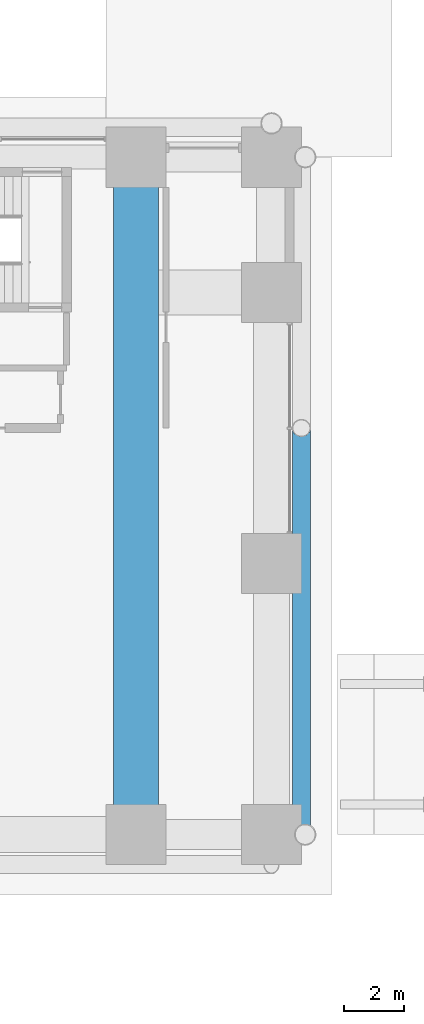
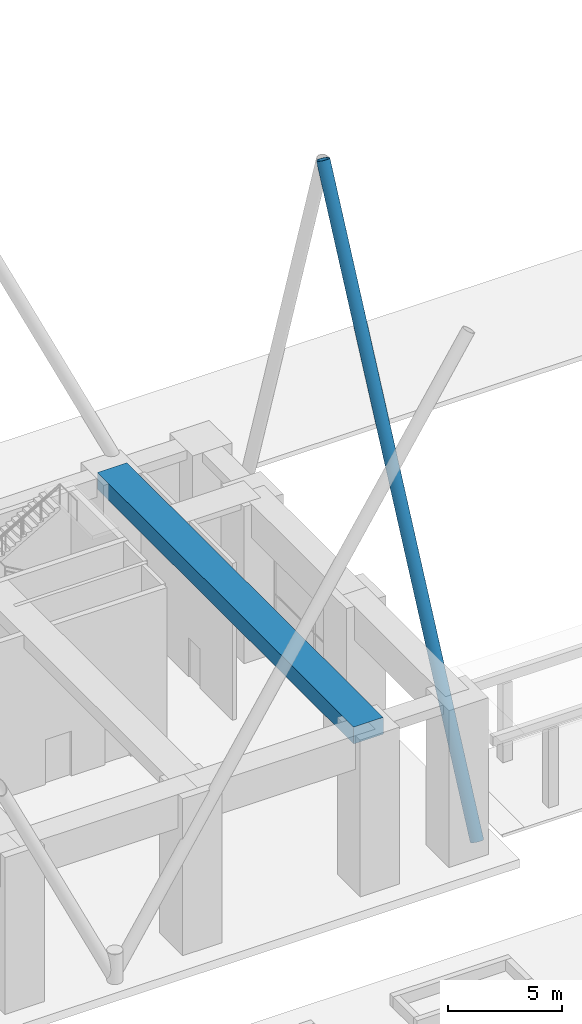
# One storey, part 13 of 44: 1 beam, 1 member.
"""IFC4 building model written with IfcOpenShell, lengths in metres."""

import ifcopenshell
import ifcopenshell.guid

model = None  # the IFC model being written
_history = None  # IfcOwnerHistory: only IFC2X3 demands one
_inside = {}  # id of a spatial element -> (the spatial element, [elements in it])
_under = {}  # id of a project, library or spatial element -> (it, [spatial elements below it])
_declared = {}  # id of a project -> (the project, [libraries it declares])
_typed = {}  # id of a type object -> (the type object, [elements of that type])
_made_of = {}  # id of a material, layer set ... -> (it, [elements and type objects made of it])


def new_model(schema):
    """Start an empty IFC model of exactly this schema.

    Asked for "IFC4X3", IfcOpenShell would pick the latest addendum, in which some entities
    have other attributes; the version numbers below select the first issue.
    IFC2X3 requires an IfcOwnerHistory on every rooted entity: one is made here for all.
    """
    global model, _history
    if schema == "IFC4X3":
        model = ifcopenshell.file(schema_version=(4, 3, 0, 0))
    else:
        model = ifcopenshell.file(schema=schema)
    _inside.clear()
    _under.clear()
    _declared.clear()
    _typed.clear()
    _made_of.clear()
    _history = None
    if model.schema == "IFC2X3":
        org = make("IfcOrganization", Name="unknown")
        user = make(
            "IfcPersonAndOrganization",
            ThePerson=make("IfcPerson", FamilyName="unknown"),
            TheOrganization=org,
        )
        app = make(
            "IfcApplication",
            ApplicationDeveloper=org,
            Version="unknown",
            ApplicationFullName="unknown",
            ApplicationIdentifier="unknown",
        )
        _history = make(
            "IfcOwnerHistory",
            OwningUser=user,
            OwningApplication=app,
            ChangeAction="ADDED",
            CreationDate=0,
        )
    return model


def make(cls, **values):
    """One entity of the class cls with the attributes given. An attribute that is None is left unset."""
    return model.create_entity(
        cls, **{name: value for name, value in values.items() if value is not None}
    )


def rooted(cls, **values):
    """An entity with a GlobalId (a new one), such as an element, a storey or a relation."""
    return make(cls, GlobalId=ifcopenshell.guid.new(), OwnerHistory=_history, **values)


def si_unit(unit_type, name, prefix=None):
    """IfcSIUnit, for example si_unit("LENGTHUNIT", "METRE", prefix="MILLI")."""
    return make("IfcSIUnit", UnitType=unit_type, Prefix=prefix, Name=name)


def assignment(units):
    """IfcUnitAssignment: the units of a project."""
    return None if units is None else make("IfcUnitAssignment", Units=units)


def point(xyz):
    """IfcCartesianPoint."""
    return None if xyz is None else make("IfcCartesianPoint", Coordinates=xyz)


def direction(xyz):
    """IfcDirection."""
    return None if xyz is None else make("IfcDirection", DirectionRatios=xyz)


def frame(location, z_axis=None, x_axis=None):
    """IfcAxis2Placement3D, a coordinate frame: its origin and axes. An axis left out is left unset."""
    return make(
        "IfcAxis2Placement3D",
        Location=point(location),
        Axis=direction(z_axis),
        RefDirection=direction(x_axis),
    )


def frame_2d(location, x_axis=None):
    """IfcAxis2Placement2D, a coordinate frame in the plane: its origin and x axis."""
    return make(
        "IfcAxis2Placement2D", Location=point(location), RefDirection=direction(x_axis)
    )


def origin():
    """The frame at (0, 0, 0) with its axes left unset."""
    return frame((0.0, 0.0, 0.0))


def origin_2d():
    """The frame at (0, 0) in the plane with its x axis left unset."""
    return frame_2d((0.0, 0.0))


def place(relative_to, where):
    """IfcLocalPlacement: puts the frame where relative to a parent placement (None: the world)."""
    return make(
        "IfcLocalPlacement", PlacementRelTo=relative_to, RelativePlacement=where
    )


def context(
    kind, dimensions, precision=None, world=None, true_north=None, identifier=None
):
    """IfcGeometricRepresentationContext, for example the 3D "Model" context."""
    return make(
        "IfcGeometricRepresentationContext",
        ContextIdentifier=identifier,
        ContextType=kind,
        CoordinateSpaceDimension=dimensions,
        Precision=precision,
        WorldCoordinateSystem=world,
        TrueNorth=true_north,
    )


def subcontext(parent, identifier, kind, view, scale=None):
    """IfcGeometricRepresentationSubContext, for example "Body" below "Model"."""
    return make(
        "IfcGeometricRepresentationSubContext",
        ContextIdentifier=identifier,
        ContextType=kind,
        ParentContext=parent,
        TargetScale=scale,
        TargetView=view,
    )


def project(units=None, contexts=None):
    """IfcProject with its units and contexts."""
    return rooted(
        "IfcProject",
        Name="project",
        RepresentationContexts=contexts,
        UnitsInContext=assignment(units),
    )


def spatial(cls, under=None, at=None, **own):
    """A site, building, storey or space (cls), placed at a placement, below another one or the project."""
    s = rooted(cls, ObjectPlacement=at, **own)
    if under is not None:
        _under.setdefault(under.id(), (under, []))[1].append(s)
    return s


def profile(cls, at=None, kind="AREA", **sizes):
    """A parametric profile (cls). Its sizes go by their IFC names, for example OverallWidth=200.0."""
    return make(cls, ProfileType=kind, Position=at, **sizes)


def rectangle(**sizes):
    """IfcRectangleProfileDef."""
    return profile("IfcRectangleProfileDef", **sizes)


def hollow_circle(**sizes):
    """IfcCircleHollowProfileDef."""
    return profile("IfcCircleHollowProfileDef", **sizes)


def extrude(swept, where, along, depth):
    """IfcExtrudedAreaSolid: the profile swept, set in the frame where, extruded along a direction by depth."""
    return make(
        "IfcExtrudedAreaSolid",
        SweptArea=swept,
        Position=where,
        ExtrudedDirection=direction(along),
        Depth=depth,
    )


def shape(context_of_items, identifier, shape_type, items):
    """IfcShapeRepresentation: the items that make up one representation, for example the "Body"."""
    return make(
        "IfcShapeRepresentation",
        ContextOfItems=context_of_items,
        RepresentationIdentifier=identifier,
        RepresentationType=shape_type,
        Items=items,
    )


def material(Name=None, Category=None):
    """IfcMaterial."""
    return make("IfcMaterial", Name=Name, Category=Category)


def material_profile(
    of_material, cross_section, Name=None, Category=None, Priority=None
):
    """IfcMaterialProfile: a cross section and its material."""
    return make(
        "IfcMaterialProfile",
        Name=Name,
        Material=of_material,
        Profile=cross_section,
        Priority=Priority,
        Category=Category,
    )


def profile_set(profiles, Name=None, composite=None):
    """IfcMaterialProfileSet."""
    return make(
        "IfcMaterialProfileSet",
        Name=Name,
        MaterialProfiles=profiles,
        CompositeProfile=composite,
    )


def made_of(thing, what):
    """Note that an element or type object is made of a material, layer set ...; save() writes the relation."""
    if what is not None:
        _made_of.setdefault(what.id(), (what, []))[1].append(thing)
    return thing


def type_object(cls, material=None, **own):
    """A type object (cls), such as IfcWallType, which elements share."""
    return made_of(rooted(cls, **own), material)


def element(
    cls,
    number,
    at=None,
    inside=None,
    cuts=None,
    type_object=None,
    material=None,
    context=None,
    identifier="Body",
    shape_type=None,
    held_by="IfcProductDefinitionShape",
    body=None,
    shapes=None,
    **own,
):
    """One element of the class cls, such as IfcWall. Its Tag is "e" and its number.

    at: its placement. inside: the storey or other place that contains it. cuts: it is an
    opening in that element (IfcRelVoidsElement). A single representation is given by context,
    identifier, shape_type and body (its items); several are given by shapes. held_by: the class
    of the entity that holds the representations. save() writes the other relations.
    """
    e = rooted(cls, Tag="e%d" % number, ObjectPlacement=at, **own)
    if body is not None:
        shapes = [shape(context, identifier, shape_type, body)]
    if shapes is not None:
        e.Representation = make(held_by, Representations=shapes)
    if inside is not None:
        _inside.setdefault(inside.id(), (inside, []))[1].append(e)
    if cuts is not None:
        rooted(
            "IfcRelVoidsElement", RelatingBuildingElement=cuts, RelatedOpeningElement=e
        )
    if type_object is not None:
        _typed.setdefault(type_object.id(), (type_object, []))[1].append(e)
    return made_of(e, material)


def aggregate(whole, parts):
    """IfcRelAggregates: a whole, such as a stair, and the parts it consists of."""
    return rooted("IfcRelAggregates", RelatingObject=whole, RelatedObjects=parts)


def save(model, path):
    """Write the relations noted so far, then the file.

    IfcRelAggregates (storeys below a building ...), IfcRelContainedInSpatialStructure (elements
    in a storey), IfcRelDefinesByType, IfcRelAssociatesMaterial and IfcRelDeclares: one each for
    every whole, place, type object, material and project.
    """
    for whole, parts in _under.values():
        aggregate(whole, parts)
    for where, things in _inside.values():
        rooted(
            "IfcRelContainedInSpatialStructure",
            RelatedElements=things,
            RelatingStructure=where,
        )
    for kind, things in _typed.values():
        rooted("IfcRelDefinesByType", RelatedObjects=things, RelatingType=kind)
    for what, things in _made_of.values():
        rooted("IfcRelAssociatesMaterial", RelatedObjects=things, RelatingMaterial=what)
    for by, libraries in _declared.values():
        rooted("IfcRelDeclares", RelatingContext=by, RelatedDefinitions=libraries)
    model.write(path)


model = new_model("IFC4")

# Units and contexts
model_context = context("Model", 3, precision=1e-05, world=origin(), true_north=direction((0.0, 1.0)))
body_context = subcontext(model_context, "Body", "Model", "MODEL_VIEW")
ifc_project = project(units=[si_unit("LENGTHUNIT", "METRE"), si_unit("AREAUNIT", "SQUARE_METRE"), si_unit("VOLUMEUNIT", "CUBIC_METRE"), si_unit("PLANEANGLEUNIT", "RADIAN"), si_unit("MASSUNIT", "GRAM", prefix="KILO")], contexts=[model_context])

# Site, building, storey
site_placement = place(None, origin())
site = spatial("IfcSite", under=ifc_project, at=site_placement, CompositionType="ELEMENT")
building_placement = place(site_placement, origin())
building = spatial("IfcBuilding", under=site, at=building_placement, Name="Firuza Court", CompositionType="ELEMENT")
storey_placement = place(building_placement, origin())
storey = spatial("IfcBuildingStorey", under=building, at=storey_placement, Name="L00", CompositionType="ELEMENT", Elevation=0.0)

# Beam
ifc_material_1 = material(Name="Concrete C40/50", Category="concrete")
ifc_material_profile_1 = material_profile(ifc_material_1, rectangle(XDim=1.5, YDim=0.89990234375, at=origin_2d()), Name="RC 1500x900")
ifc_profile_set_1 = profile_set([ifc_material_profile_1], Name="Concrete C40/50")
beam_type = type_object("IfcBeamType", Name="Band beam RC 1500x900 C40/50", PredefinedType="BEAM", material=ifc_profile_set_1)
beam_placement = place(storey_placement, frame((63.0, 36.0, 7.949951171875), z_axis=(0.0, 1.0, 0.0), x_axis=(-1.0, 0.0, 0.0)))
element("IfcBeam", 1, at=beam_placement, inside=storey, type_object=beam_type, Name="Band beam FB2 level L01", PredefinedType="BEAM", context=body_context, shape_type="SweptSolid", body=[
    extrude(rectangle(XDim=1.5, YDim=0.89990234375, at=origin_2d()), origin(), (0.0, 0.0, 1.0), 22.5),
])

# Member
ifc_material_2 = material(Name="Steel S355", Category="steel")
ifc_material_profile_2 = material_profile(ifc_material_2, hollow_circle(Radius=0.304931640625, WallThickness=0.02490234375, at=origin_2d()), Name="CHS 610x25")
ifc_profile_set_2 = profile_set([ifc_material_profile_2], Name="Steel S355")
member_type = type_object("IfcMemberType", Name="Diagrid diagonal CHS 610x25 S355", PredefinedType="USERDEFINED", material=ifc_profile_set_2)
member_placement = place(storey_placement, frame((68.4951171875, 36.0, 0.130859375), z_axis=(0.0, 0.430315969648, 0.902678329343), x_axis=(-1.0, 0.0, 0.0)))
element("IfcMember", 2, at=member_placement, inside=storey, type_object=member_type, Name="Diagrid diagonal L00 to L05", ObjectType="DIAGRID", PredefinedType="USERDEFINED", context=body_context, shape_type="SweptSolid", body=[
    extrude(hollow_circle(Radius=0.304931640625, WallThickness=0.02490234375, at=origin_2d()), origin(), (0.0, 0.0, 1.0), 31.372314453125),
])

save(model, "model.ifc")
